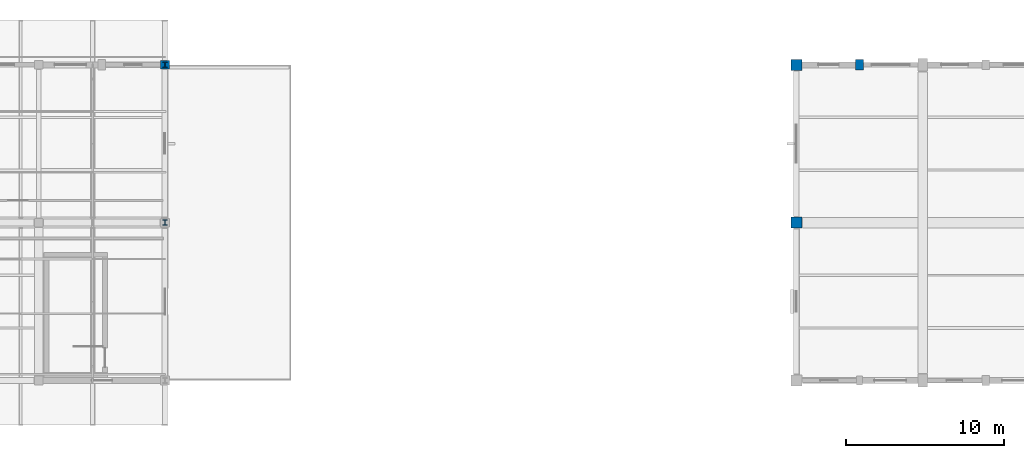
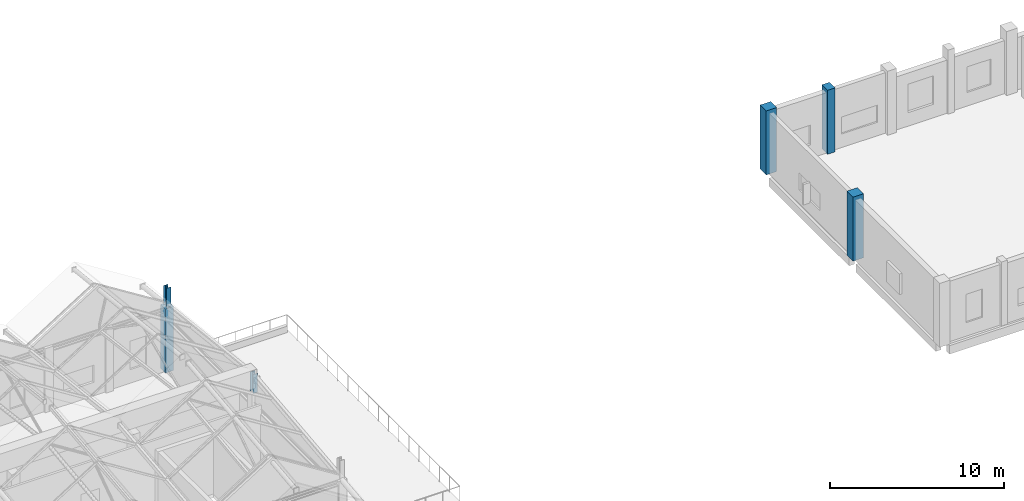
# One storey, part 8 of 183: 6 columns.
"""IFC4 building model written with IfcOpenShell, lengths in metres."""

from ifc_helpers import new_model, si_unit, direction, frame, origin, origin_2d, place, context, subcontext, project, spatial, rectangle, i_section, extrude, material, material_profile, profile_set, type_object, element, save


model = new_model("IFC4")

# Units and contexts
model_context = context("Model", 3, precision=1e-05, world=origin(), true_north=direction((0.0, 1.0)))
body_context = subcontext(model_context, "Body", "Model", "MODEL_VIEW")
ifc_project = project(units=[si_unit("LENGTHUNIT", "METRE"), si_unit("AREAUNIT", "SQUARE_METRE"), si_unit("VOLUMEUNIT", "CUBIC_METRE"), si_unit("PLANEANGLEUNIT", "RADIAN"), si_unit("MASSUNIT", "GRAM", prefix="KILO")], contexts=[model_context])

# Site, building, storey
site_placement = place(None, origin())
site = spatial("IfcSite", under=ifc_project, at=site_placement, CompositionType="ELEMENT")
building_placement = place(site_placement, origin())
building = spatial("IfcBuilding", under=site, at=building_placement, Name="Luwemba Playhouse", CompositionType="ELEMENT")
storey_placement = place(building_placement, frame((0.0, 0.0, 4.800048828125)))
storey = spatial("IfcBuildingStorey", under=building, at=storey_placement, Name="L01", CompositionType="ELEMENT", Elevation=4.800048828125)

# Columns
ifc_material_1 = material(Name="Concrete C40/50", Category="concrete")
ifc_material_profile_1 = material_profile(ifc_material_1, rectangle(XDim=0.550048828125, YDim=0.550048828125, at=origin_2d()))
ifc_profile_set_1 = profile_set([ifc_material_profile_1], Name="Concrete C40/50")
column_type_1 = type_object("IfcColumnType", Name="COL-C03", PredefinedType="COLUMN", material=ifc_profile_set_1)
column_1_placement = place(storey_placement, frame((68.0, 115.0, 0.0), z_axis=(0.0, 0.0, 1.0), x_axis=(1.0, 0.0, 0.0)))
element("IfcColumn", 1, at=column_1_placement, inside=storey, type_object=column_type_1, Name="L01 column 140", PredefinedType="COLUMN", context=body_context, shape_type="SweptSolid", body=[
    extrude(rectangle(XDim=0.550048828125, YDim=0.550048828125, at=origin_2d()), origin(), (0.0, 0.0, 1.0), 4.5),
])
ifc_material_profile_2 = material_profile(ifc_material_1, rectangle(XDim=0.699951171875, YDim=0.699951171875, at=origin_2d()))
ifc_profile_set_2 = profile_set([ifc_material_profile_2], Name="Concrete C40/50")
column_type_2 = type_object("IfcColumnType", Name="COL-C06", PredefinedType="COLUMN", material=ifc_profile_set_2)
for number, where, z_axis, x_axis, name in (
    (2, (108.0, 105.0, 0.0), (0.0, 0.0, 1.0), (1.0, 0.0, 0.0), "L01 column 146"),
    (3, (108.0, 115.0, 0.0), (0.0, 0.0, 1.0), (1.0, 0.0, 0.0), "L01 column 147"),
):
    element("IfcColumn", number, at=place(storey_placement, frame(where, z_axis=z_axis, x_axis=x_axis)), inside=storey, type_object=column_type_2, Name=name, PredefinedType="COLUMN", context=body_context, shape_type="SweptSolid", body=[
        extrude(rectangle(XDim=0.699951171875, YDim=0.699951171875, at=origin_2d()), origin(), (0.0, 0.0, 1.0), 4.5),
    ])
ifc_material_profile_3 = material_profile(ifc_material_1, rectangle(XDim=0.5, YDim=0.64990234375, at=origin_2d()))
ifc_profile_set_3 = profile_set([ifc_material_profile_3], Name="Concrete C40/50")
column_type_3 = type_object("IfcColumnType", Name="COL-PIL3", PredefinedType="PILASTER", material=ifc_profile_set_3)
column_2_placement = place(storey_placement, frame((112.0, 115.0, 0.0), z_axis=(0.0, 0.0, 1.0), x_axis=(1.0, 0.0, 0.0)))
element("IfcColumn", 4, at=column_2_placement, inside=storey, type_object=column_type_3, Name="L01 column 149", PredefinedType="PILASTER", context=body_context, shape_type="SweptSolid", body=[
    extrude(rectangle(XDim=0.5, YDim=0.64990234375, at=origin_2d()), origin(), (0.0, 0.0, 1.0), 4.5),
])
ifc_material_2 = material(Name="Steel S355", Category="steel")
ifc_material_profile_4 = material_profile(ifc_material_2, i_section(OverallWidth=0.300048828125, OverallDepth=0.340087890625, WebThickness=0.011962890625, FlangeThickness=0.021484375, FilletRadius=0.027099609375, at=origin_2d()))
ifc_profile_set_4 = profile_set([ifc_material_profile_4], Name="Steel S355")
column_type_4 = type_object("IfcColumnType", Name="COL-SC2", PredefinedType="COLUMN", material=ifc_profile_set_4)
for number, where, z_axis, x_axis, name in (
    (5, (68.0, 115.0, 4.5), (0.0, 0.0, 1.0), (1.0, 0.0, 0.0), "RF-V6W north corner apex stub"),
    (6, (68.0, 105.0, 4.5), (0.0, 0.0, 1.0), (1.0, 0.0, 0.0), "RF-V6W mid corner apex stub"),
):
    element("IfcColumn", number, at=place(storey_placement, frame(where, z_axis=z_axis, x_axis=x_axis)), inside=storey, type_object=column_type_4, Name=name, PredefinedType="COLUMN", context=body_context, shape_type="SweptSolid", body=[
        extrude(i_section(OverallWidth=0.300048828125, OverallDepth=0.340087890625, WebThickness=0.011962890625, FlangeThickness=0.021484375, FilletRadius=0.027099609375, at=origin_2d()), origin(), (0.0, 0.0, 1.0), 1.341552734375),
    ])

save(model, "model.ifc")
